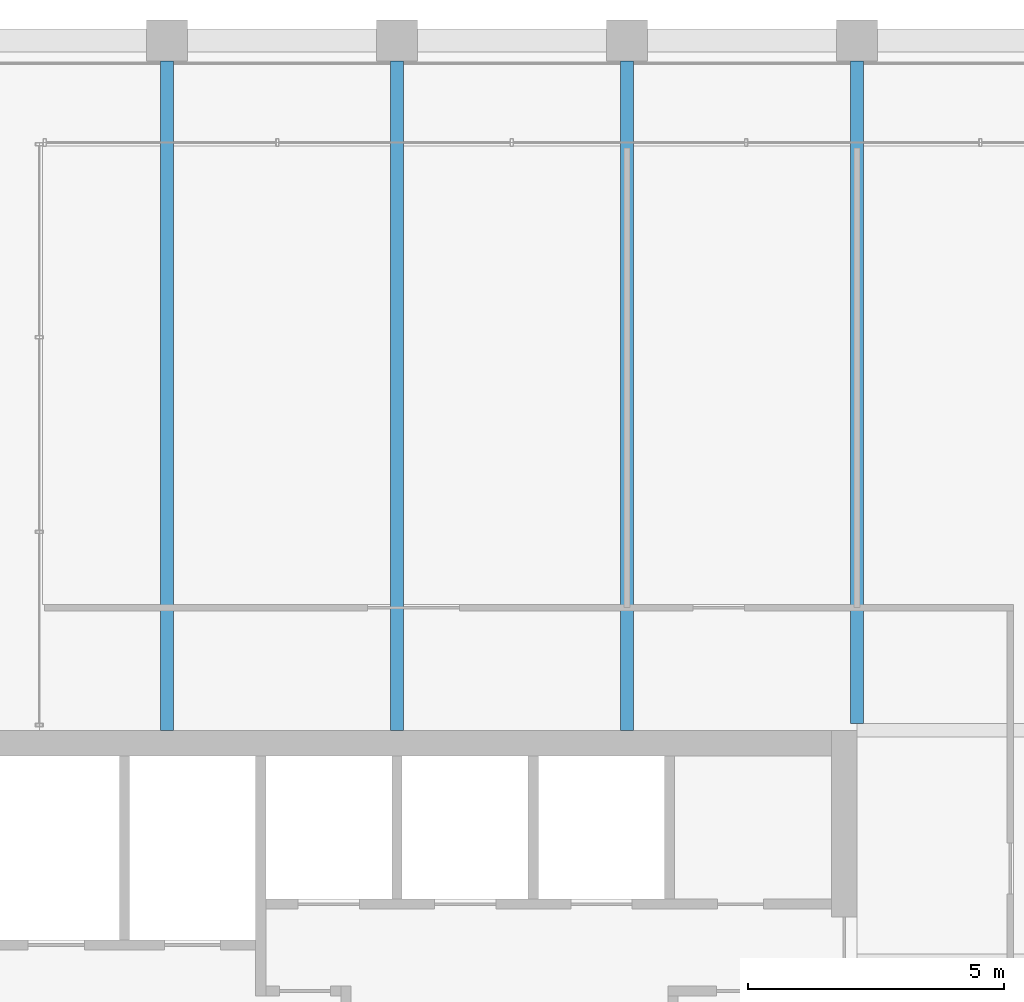
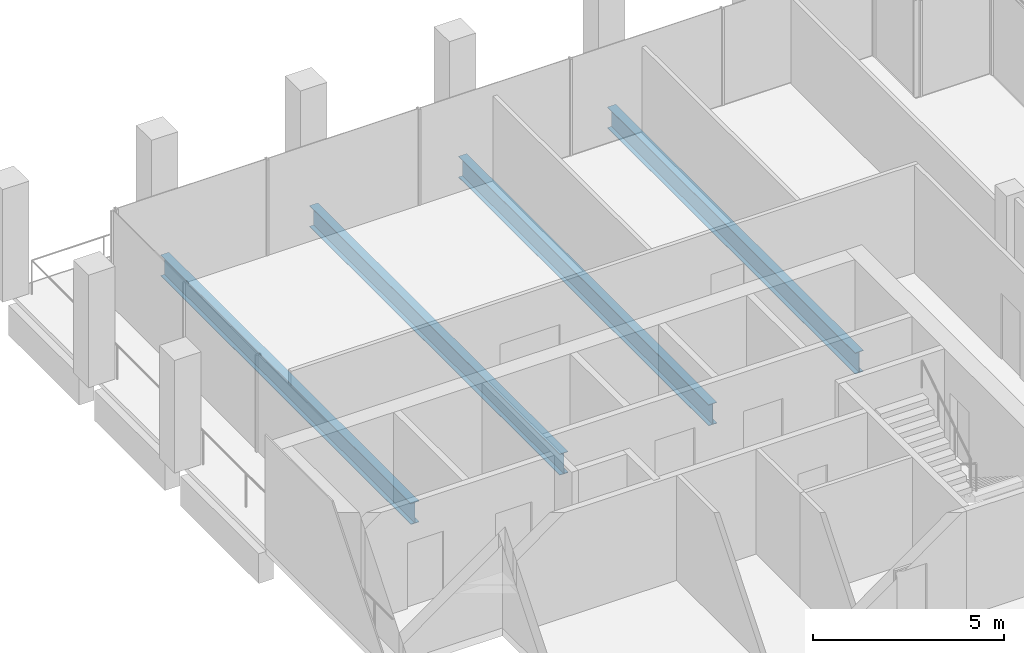
# One storey, part 22 of 40: 4 beams.
"""IFC4 building model written with IfcOpenShell, lengths in metres."""

import ifcopenshell
import ifcopenshell.guid

model = None  # the IFC model being written
_history = None  # IfcOwnerHistory: only IFC2X3 demands one
_inside = {}  # id of a spatial element -> (the spatial element, [elements in it])
_under = {}  # id of a project, library or spatial element -> (it, [spatial elements below it])
_declared = {}  # id of a project -> (the project, [libraries it declares])
_typed = {}  # id of a type object -> (the type object, [elements of that type])
_made_of = {}  # id of a material, layer set ... -> (it, [elements and type objects made of it])


def new_model(schema):
    """Start an empty IFC model of exactly this schema.

    Asked for "IFC4X3", IfcOpenShell would pick the latest addendum, in which some entities
    have other attributes; the version numbers below select the first issue.
    IFC2X3 requires an IfcOwnerHistory on every rooted entity: one is made here for all.
    """
    global model, _history
    if schema == "IFC4X3":
        model = ifcopenshell.file(schema_version=(4, 3, 0, 0))
    else:
        model = ifcopenshell.file(schema=schema)
    _inside.clear()
    _under.clear()
    _declared.clear()
    _typed.clear()
    _made_of.clear()
    _history = None
    if model.schema == "IFC2X3":
        org = make("IfcOrganization", Name="unknown")
        user = make(
            "IfcPersonAndOrganization",
            ThePerson=make("IfcPerson", FamilyName="unknown"),
            TheOrganization=org,
        )
        app = make(
            "IfcApplication",
            ApplicationDeveloper=org,
            Version="unknown",
            ApplicationFullName="unknown",
            ApplicationIdentifier="unknown",
        )
        _history = make(
            "IfcOwnerHistory",
            OwningUser=user,
            OwningApplication=app,
            ChangeAction="ADDED",
            CreationDate=0,
        )
    return model


def make(cls, **values):
    """One entity of the class cls with the attributes given. An attribute that is None is left unset."""
    return model.create_entity(
        cls, **{name: value for name, value in values.items() if value is not None}
    )


def rooted(cls, **values):
    """An entity with a GlobalId (a new one), such as an element, a storey or a relation."""
    return make(cls, GlobalId=ifcopenshell.guid.new(), OwnerHistory=_history, **values)


def si_unit(unit_type, name, prefix=None):
    """IfcSIUnit, for example si_unit("LENGTHUNIT", "METRE", prefix="MILLI")."""
    return make("IfcSIUnit", UnitType=unit_type, Prefix=prefix, Name=name)


def assignment(units):
    """IfcUnitAssignment: the units of a project."""
    return None if units is None else make("IfcUnitAssignment", Units=units)


def point(xyz):
    """IfcCartesianPoint."""
    return None if xyz is None else make("IfcCartesianPoint", Coordinates=xyz)


def direction(xyz):
    """IfcDirection."""
    return None if xyz is None else make("IfcDirection", DirectionRatios=xyz)


def frame(location, z_axis=None, x_axis=None):
    """IfcAxis2Placement3D, a coordinate frame: its origin and axes. An axis left out is left unset."""
    return make(
        "IfcAxis2Placement3D",
        Location=point(location),
        Axis=direction(z_axis),
        RefDirection=direction(x_axis),
    )


def frame_2d(location, x_axis=None):
    """IfcAxis2Placement2D, a coordinate frame in the plane: its origin and x axis."""
    return make(
        "IfcAxis2Placement2D", Location=point(location), RefDirection=direction(x_axis)
    )


def origin():
    """The frame at (0, 0, 0) with its axes left unset."""
    return frame((0.0, 0.0, 0.0))


def origin_2d():
    """The frame at (0, 0) in the plane with its x axis left unset."""
    return frame_2d((0.0, 0.0))


def place(relative_to, where):
    """IfcLocalPlacement: puts the frame where relative to a parent placement (None: the world)."""
    return make(
        "IfcLocalPlacement", PlacementRelTo=relative_to, RelativePlacement=where
    )


def context(
    kind, dimensions, precision=None, world=None, true_north=None, identifier=None
):
    """IfcGeometricRepresentationContext, for example the 3D "Model" context."""
    return make(
        "IfcGeometricRepresentationContext",
        ContextIdentifier=identifier,
        ContextType=kind,
        CoordinateSpaceDimension=dimensions,
        Precision=precision,
        WorldCoordinateSystem=world,
        TrueNorth=true_north,
    )


def subcontext(parent, identifier, kind, view, scale=None):
    """IfcGeometricRepresentationSubContext, for example "Body" below "Model"."""
    return make(
        "IfcGeometricRepresentationSubContext",
        ContextIdentifier=identifier,
        ContextType=kind,
        ParentContext=parent,
        TargetScale=scale,
        TargetView=view,
    )


def project(units=None, contexts=None):
    """IfcProject with its units and contexts."""
    return rooted(
        "IfcProject",
        Name="project",
        RepresentationContexts=contexts,
        UnitsInContext=assignment(units),
    )


def spatial(cls, under=None, at=None, **own):
    """A site, building, storey or space (cls), placed at a placement, below another one or the project."""
    s = rooted(cls, ObjectPlacement=at, **own)
    if under is not None:
        _under.setdefault(under.id(), (under, []))[1].append(s)
    return s


def profile(cls, at=None, kind="AREA", **sizes):
    """A parametric profile (cls). Its sizes go by their IFC names, for example OverallWidth=200.0."""
    return make(cls, ProfileType=kind, Position=at, **sizes)


def i_section(**sizes):
    """IfcIShapeProfileDef."""
    return profile("IfcIShapeProfileDef", **sizes)


def extrude(swept, where, along, depth):
    """IfcExtrudedAreaSolid: the profile swept, set in the frame where, extruded along a direction by depth."""
    return make(
        "IfcExtrudedAreaSolid",
        SweptArea=swept,
        Position=where,
        ExtrudedDirection=direction(along),
        Depth=depth,
    )


def shape(context_of_items, identifier, shape_type, items):
    """IfcShapeRepresentation: the items that make up one representation, for example the "Body"."""
    return make(
        "IfcShapeRepresentation",
        ContextOfItems=context_of_items,
        RepresentationIdentifier=identifier,
        RepresentationType=shape_type,
        Items=items,
    )


def material(Name=None, Category=None):
    """IfcMaterial."""
    return make("IfcMaterial", Name=Name, Category=Category)


def material_profile(
    of_material, cross_section, Name=None, Category=None, Priority=None
):
    """IfcMaterialProfile: a cross section and its material."""
    return make(
        "IfcMaterialProfile",
        Name=Name,
        Material=of_material,
        Profile=cross_section,
        Priority=Priority,
        Category=Category,
    )


def profile_set(profiles, Name=None, composite=None):
    """IfcMaterialProfileSet."""
    return make(
        "IfcMaterialProfileSet",
        Name=Name,
        MaterialProfiles=profiles,
        CompositeProfile=composite,
    )


def made_of(thing, what):
    """Note that an element or type object is made of a material, layer set ...; save() writes the relation."""
    if what is not None:
        _made_of.setdefault(what.id(), (what, []))[1].append(thing)
    return thing


def type_object(cls, material=None, **own):
    """A type object (cls), such as IfcWallType, which elements share."""
    return made_of(rooted(cls, **own), material)


def element(
    cls,
    number,
    at=None,
    inside=None,
    cuts=None,
    type_object=None,
    material=None,
    context=None,
    identifier="Body",
    shape_type=None,
    held_by="IfcProductDefinitionShape",
    body=None,
    shapes=None,
    **own,
):
    """One element of the class cls, such as IfcWall. Its Tag is "e" and its number.

    at: its placement. inside: the storey or other place that contains it. cuts: it is an
    opening in that element (IfcRelVoidsElement). A single representation is given by context,
    identifier, shape_type and body (its items); several are given by shapes. held_by: the class
    of the entity that holds the representations. save() writes the other relations.
    """
    e = rooted(cls, Tag="e%d" % number, ObjectPlacement=at, **own)
    if body is not None:
        shapes = [shape(context, identifier, shape_type, body)]
    if shapes is not None:
        e.Representation = make(held_by, Representations=shapes)
    if inside is not None:
        _inside.setdefault(inside.id(), (inside, []))[1].append(e)
    if cuts is not None:
        rooted(
            "IfcRelVoidsElement", RelatingBuildingElement=cuts, RelatedOpeningElement=e
        )
    if type_object is not None:
        _typed.setdefault(type_object.id(), (type_object, []))[1].append(e)
    return made_of(e, material)


def aggregate(whole, parts):
    """IfcRelAggregates: a whole, such as a stair, and the parts it consists of."""
    return rooted("IfcRelAggregates", RelatingObject=whole, RelatedObjects=parts)


def save(model, path):
    """Write the relations noted so far, then the file.

    IfcRelAggregates (storeys below a building ...), IfcRelContainedInSpatialStructure (elements
    in a storey), IfcRelDefinesByType, IfcRelAssociatesMaterial and IfcRelDeclares: one each for
    every whole, place, type object, material and project.
    """
    for whole, parts in _under.values():
        aggregate(whole, parts)
    for where, things in _inside.values():
        rooted(
            "IfcRelContainedInSpatialStructure",
            RelatedElements=things,
            RelatingStructure=where,
        )
    for kind, things in _typed.values():
        rooted("IfcRelDefinesByType", RelatedObjects=things, RelatingType=kind)
    for what, things in _made_of.values():
        rooted("IfcRelAssociatesMaterial", RelatedObjects=things, RelatingMaterial=what)
    for by, libraries in _declared.values():
        rooted("IfcRelDeclares", RelatingContext=by, RelatedDefinitions=libraries)
    model.write(path)


model = new_model("IFC4")

# Units and contexts
model_context = context("Model", 3, precision=1e-05, world=origin(), true_north=direction((0.0, 1.0)))
body_context = subcontext(model_context, "Body", "Model", "MODEL_VIEW")
ifc_project = project(units=[si_unit("LENGTHUNIT", "METRE"), si_unit("AREAUNIT", "SQUARE_METRE"), si_unit("VOLUMEUNIT", "CUBIC_METRE"), si_unit("PLANEANGLEUNIT", "RADIAN"), si_unit("MASSUNIT", "GRAM", prefix="KILO")], contexts=[model_context])

# Site, building, storey
site_placement = place(None, origin())
site = spatial("IfcSite", under=ifc_project, at=site_placement, CompositionType="ELEMENT")
building_placement = place(site_placement, origin())
building = spatial("IfcBuilding", under=site, at=building_placement, Name="Altepetl Exchange Towers", CompositionType="ELEMENT")
storey_placement = place(building_placement, frame((0.0, 0.0, 202.800048828125)))
storey = spatial("IfcBuildingStorey", under=building, at=storey_placement, Name="L51", CompositionType="ELEMENT", Elevation=202.800048828125)

# Beams
ifc_material = material(Name="Steel S355", Category="steel")
ifc_material_profile = material_profile(ifc_material, i_section(OverallWidth=0.2529296875, OverallDepth=0.677978515625, WebThickness=0.01171875, FlangeThickness=0.016357421875, at=origin_2d()), Name="W27X84")
ifc_profile_set = profile_set([ifc_material_profile], Name="Steel S355")
beam_type = type_object("IfcBeamType", Name="Floor beam W27X84", PredefinedType="BEAM", material=ifc_profile_set)
for number, where, z_axis, x_axis, name in (
    (1, (45.0, 58.5, -0.489013671875), (0.0, 1.0, 0.0), (-1.0, 0.0, 0.0), "bm:A:L51:000"),
    (2, (49.5, 58.5, -0.489013671875), (0.0, 1.0, 0.0), (-1.0, 0.0, 0.0), "bm:A:L51:001"),
    (3, (54.0, 58.5, -0.489013671875), (0.0, 1.0, 0.0), (-1.0, 0.0, 0.0), "bm:A:L51:002"),
):
    element("IfcBeam", number, at=place(storey_placement, frame(where, z_axis=z_axis, x_axis=x_axis)), inside=storey, type_object=beam_type, Name=name, PredefinedType="BEAM", context=body_context, shape_type="SweptSolid", body=[
        extrude(i_section(OverallWidth=0.2529296875, OverallDepth=0.677978515625, WebThickness=0.01171875, FlangeThickness=0.016357421875, at=origin_2d()), origin(), (0.0, 0.0, 1.0), 13.10009765625),
    ])
beam_placement = place(storey_placement, frame((58.5, 58.634033203125, -0.489013671875), z_axis=(0.0, 1.0, 0.0), x_axis=(-1.0, 0.0, 0.0)))
element("IfcBeam", 4, at=beam_placement, inside=storey, type_object=beam_type, Name="bm:A:L51:003", PredefinedType="BEAM", context=body_context, shape_type="SweptSolid", body=[
    extrude(i_section(OverallWidth=0.2529296875, OverallDepth=0.677978515625, WebThickness=0.01171875, FlangeThickness=0.016357421875, at=origin_2d()), origin(), (0.0, 0.0, 1.0), 12.966064453125),
])

save(model, "model.ifc")
